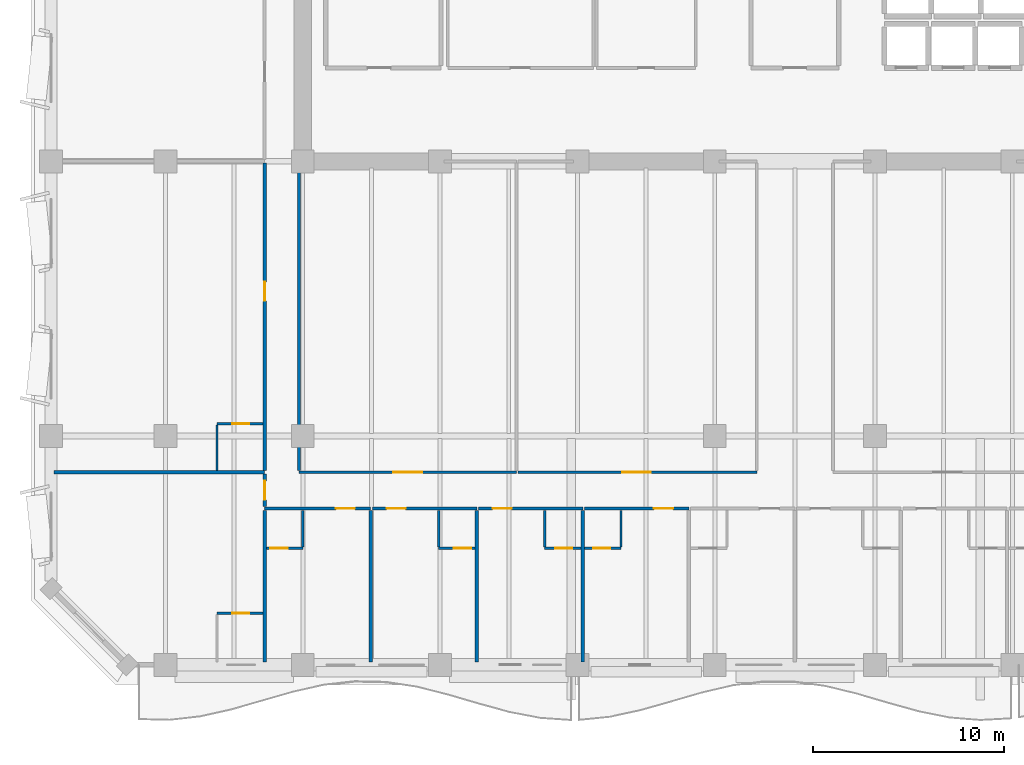
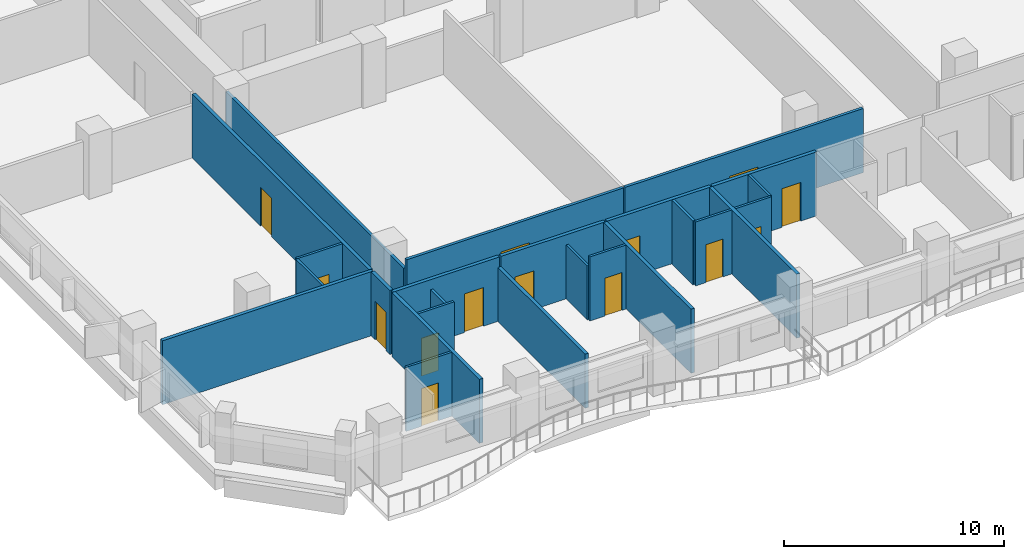
# One storey, part 4 of 15: 25 walls, 14 doors, 14 openings.
"""IFC4 building model written with IfcOpenShell, lengths in metres."""

from ifc_helpers import new_model, si_unit, direction, frame, frame_2d, origin, place, context, subcontext, project, spatial, rectangle, extrude, material, layer, layer_set, type_object, element, fill, save


model = new_model("IFC4")

# Units and contexts
model_context = context("Model", 3, precision=1e-05, world=origin(), true_north=direction((0.0, 1.0)))
body_context = subcontext(model_context, "Body", "Model", "MODEL_VIEW")
ifc_project = project(units=[si_unit("LENGTHUNIT", "METRE"), si_unit("AREAUNIT", "SQUARE_METRE"), si_unit("VOLUMEUNIT", "CUBIC_METRE"), si_unit("PLANEANGLEUNIT", "RADIAN"), si_unit("MASSUNIT", "GRAM", prefix="KILO")], contexts=[model_context])

# Site, building, storey
site_placement = place(None, origin())
site = spatial("IfcSite", under=ifc_project, at=site_placement, CompositionType="ELEMENT")
building_placement = place(site_placement, origin())
building = spatial("IfcBuilding", under=site, at=building_placement, Name="Kaelvorn Grand Hotel", CompositionType="ELEMENT")
storey_placement = place(building_placement, frame((0.0, 0.0, 139.14990234375)))
storey = spatial("IfcBuildingStorey", under=building, at=storey_placement, Name="L33", CompositionType="ELEMENT", Elevation=139.14990234375)

# Wall, opening, door
ifc_material_1 = material(Name="Moisture-Resistant Tile & Stud Board")
ifc_layer_1 = layer(ifc_material_1, 0.125)
ifc_layer_set_1 = layer_set([ifc_layer_1], Name="Moisture-Resistant Tile & Stud Board")
wall_type_1 = type_object("IfcWallType", Name="WL-PART-125-WET", PredefinedType="PARTITIONING", material=ifc_layer_set_1)
wall_1_placement = place(storey_placement, frame((14.294921875, 9.110107421875, 0.0), z_axis=(0.0, 0.0, 1.0), x_axis=(1.0, 0.0, 0.0)))
wall_1 = element("IfcWall", 1, at=wall_1_placement, inside=storey, type_object=wall_type_1, Name="L33 En-suite Bathroom L33-01 S Partition", PredefinedType="PARTITIONING", context=body_context, shape_type="SweptSolid", body=[
    extrude(rectangle(XDim=1.905029296875, YDim=0.125, at=frame_2d((0.95263671875, 0.0))), origin(), (0.0, 0.0, 1.0), 3.56005859375),
])
opening_1_placement = place(wall_1_placement, frame((0.205078125, 0.0, 0.0)))
opening_1 = element("IfcOpeningElement", 2, at=opening_1_placement, cuts=wall_1, Name="Opening DI4", PredefinedType="OPENING", context=body_context, shape_type="SweptSolid", body=[
    extrude(rectangle(XDim=0.89990234375, YDim=2.10009765625, at=frame_2d((0.449951171875, 1.050048828125))), frame((0.0, 0.072509765625, 0.0), z_axis=(0.0, -1.0, 0.0), x_axis=(1.0, 0.0, 0.0)), (0.0, 0.0, 1.0), 0.14501953125),
])
ifc_material_2 = material(Name="Timber Veneer Leaf", Category="wood")
door_type_1 = type_object("IfcDoorType", Name="DR-INT-BATH-900x2100", OperationType="NOTDEFINED", PredefinedType="DOOR", material=ifc_material_2)
door_1_placement = place(opening_1_placement, origin())
door_1 = element("IfcDoor", 3, at=door_1_placement, inside=storey, type_object=door_type_1, Name="L33 En-suite Bathroom L33-01 Door", OperationType="SINGLE_SWING_RIGHT", OverallHeight=2.10009765625, OverallWidth=0.89990234375, PredefinedType="DOOR", context=body_context, shape_type="SweptSolid", body=[
    extrude(rectangle(XDim=0.89990234375, YDim=2.10009765625, at=frame_2d((0.449951171875, 1.050048828125))), frame((0.0, 0.02490234375, 0.0), z_axis=(0.0, -1.0, 0.0), x_axis=(1.0, 0.0, 0.0)), (0.0, 0.0, 1.0), 0.050048828125),
])
fill(opening_1, door_1)

# Wall
wall_2_placement = place(storey_placement, frame((16.199951171875, 9.177490234375, 0.0), z_axis=(0.0, 0.0, 1.0), x_axis=(0.0, 1.0, 0.0)))
element("IfcWall", 4, at=wall_2_placement, inside=storey, type_object=wall_type_1, Name="L33 En-suite Bathroom L33-01 E Partition", PredefinedType="PARTITIONING", context=body_context, shape_type="SweptSolid", body=[
    extrude(rectangle(XDim=1.927490234375, YDim=0.125, at=frame_2d((0.9638671875, 0.0))), origin(), (0.0, 0.0, 1.0), 3.010009765625),
])

# Wall, opening, door
wall_3_placement = place(storey_placement, frame((23.320068359375, 9.110107421875, 0.0), z_axis=(0.0, 0.0, 1.0), x_axis=(1.0, 0.0, 0.0)))
wall_3 = element("IfcWall", 5, at=wall_3_placement, inside=storey, type_object=wall_type_1, Name="L33 En-suite Bathroom L33-02 S Partition", PredefinedType="PARTITIONING", context=body_context, shape_type="SweptSolid", body=[
    extrude(rectangle(XDim=1.905029296875, YDim=0.125, at=frame_2d((0.95263671875, 0.0))), origin(), (0.0, 0.0, 1.0), 3.56005859375),
])
opening_2_placement = place(wall_3_placement, frame((0.800048828125, 0.0, 0.0)))
opening_2 = element("IfcOpeningElement", 6, at=opening_2_placement, cuts=wall_3, Name="Opening DI4", PredefinedType="OPENING", context=body_context, shape_type="SweptSolid", body=[
    extrude(rectangle(XDim=0.89990234375, YDim=2.10009765625, at=frame_2d((0.449951171875, 1.050048828125))), frame((0.0, 0.072509765625, 0.0), z_axis=(0.0, -1.0, 0.0), x_axis=(1.0, 0.0, 0.0)), (0.0, 0.0, 1.0), 0.14501953125),
])
door_2_placement = place(opening_2_placement, origin())
door_2 = element("IfcDoor", 7, at=door_2_placement, inside=storey, type_object=door_type_1, Name="L33 En-suite Bathroom L33-02 Door", OperationType="SINGLE_SWING_RIGHT", OverallHeight=2.10009765625, OverallWidth=0.89990234375, PredefinedType="DOOR", context=body_context, shape_type="SweptSolid", body=[
    extrude(rectangle(XDim=0.89990234375, YDim=2.10009765625, at=frame_2d((0.449951171875, 1.050048828125))), frame((0.0, 0.02490234375, 0.0), z_axis=(0.0, -1.0, 0.0), x_axis=(1.0, 0.0, 0.0)), (0.0, 0.0, 1.0), 0.050048828125),
])
fill(opening_2, door_2)

# Wall
wall_4_placement = place(storey_placement, frame((23.320068359375, 9.177490234375, 0.0), z_axis=(0.0, 0.0, 1.0), x_axis=(0.0, 1.0, 0.0)))
element("IfcWall", 8, at=wall_4_placement, inside=storey, type_object=wall_type_1, Name="L33 En-suite Bathroom L33-02 W Partition", PredefinedType="PARTITIONING", context=body_context, shape_type="SweptSolid", body=[
    extrude(rectangle(XDim=1.927490234375, YDim=0.125, at=frame_2d((0.9638671875, 0.0))), origin(), (0.0, 0.0, 1.0), 3.010009765625),
])

# Wall, opening, door
wall_5_placement = place(storey_placement, frame((28.8798828125, 9.110107421875, 0.0), z_axis=(0.0, 0.0, 1.0), x_axis=(1.0, 0.0, 0.0)))
wall_5 = element("IfcWall", 9, at=wall_5_placement, inside=storey, type_object=wall_type_1, Name="L33 En-suite Bathroom L33-03 S Partition", PredefinedType="PARTITIONING", context=body_context, shape_type="SweptSolid", body=[
    extrude(rectangle(XDim=1.905029296875, YDim=0.125, at=frame_2d((0.95263671875, 0.0))), origin(), (0.0, 0.0, 1.0), 3.56005859375),
])
opening_3_placement = place(wall_5_placement, frame((0.550048828125, 0.0, 0.0)))
opening_3 = element("IfcOpeningElement", 10, at=opening_3_placement, cuts=wall_5, Name="Opening DI4", PredefinedType="OPENING", context=body_context, shape_type="SweptSolid", body=[
    extrude(rectangle(XDim=0.89990234375, YDim=2.10009765625, at=frame_2d((0.449951171875, 1.050048828125))), frame((0.0, 0.072509765625, 0.0), z_axis=(0.0, -1.0, 0.0), x_axis=(1.0, 0.0, 0.0)), (0.0, 0.0, 1.0), 0.14501953125),
])
door_3_placement = place(opening_3_placement, origin())
door_3 = element("IfcDoor", 11, at=door_3_placement, inside=storey, type_object=door_type_1, Name="L33 En-suite Bathroom L33-03 Door", OperationType="SINGLE_SWING_RIGHT", OverallHeight=2.10009765625, OverallWidth=0.89990234375, PredefinedType="DOOR", context=body_context, shape_type="SweptSolid", body=[
    extrude(rectangle(XDim=0.89990234375, YDim=2.10009765625, at=frame_2d((0.449951171875, 1.050048828125))), frame((0.0, 0.02490234375, 0.0), z_axis=(0.0, -1.0, 0.0), x_axis=(1.0, 0.0, 0.0)), (0.0, 0.0, 1.0), 0.050048828125),
])
fill(opening_3, door_3)

# Wall
wall_6_placement = place(storey_placement, frame((28.8798828125, 9.177490234375, 0.0), z_axis=(0.0, 0.0, 1.0), x_axis=(0.0, 1.0, 0.0)))
element("IfcWall", 12, at=wall_6_placement, inside=storey, type_object=wall_type_1, Name="L33 En-suite Bathroom L33-03 W Partition", PredefinedType="PARTITIONING", context=body_context, shape_type="SweptSolid", body=[
    extrude(rectangle(XDim=1.927490234375, YDim=0.125, at=frame_2d((0.9638671875, 0.0))), origin(), (0.0, 0.0, 1.0), 3.56005859375),
])

# Wall, opening, door
wall_7_placement = place(storey_placement, frame((30.97509765625, 9.110107421875, 0.0), z_axis=(0.0, 0.0, 1.0), x_axis=(1.0, 0.0, 0.0)))
wall_7 = element("IfcWall", 13, at=wall_7_placement, inside=storey, type_object=wall_type_1, Name="L33 En-suite Bathroom L33-04 S Partition", PredefinedType="PARTITIONING", context=body_context, shape_type="SweptSolid", body=[
    extrude(rectangle(XDim=1.90478515625, YDim=0.125, at=frame_2d((0.952392578125, 0.0))), origin(), (0.0, 0.0, 1.0), 3.56005859375),
])
opening_4_placement = place(wall_7_placement, frame((0.455078125, 0.0, 0.0)))
opening_4 = element("IfcOpeningElement", 14, at=opening_4_placement, cuts=wall_7, Name="Opening DI4", PredefinedType="OPENING", context=body_context, shape_type="SweptSolid", body=[
    extrude(rectangle(XDim=0.89990234375, YDim=2.10009765625, at=frame_2d((0.449951171875, 1.050048828125))), frame((0.0, 0.072509765625, 0.0), z_axis=(0.0, -1.0, 0.0), x_axis=(1.0, 0.0, 0.0)), (0.0, 0.0, 1.0), 0.14501953125),
])
door_4_placement = place(opening_4_placement, origin())
door_4 = element("IfcDoor", 15, at=door_4_placement, inside=storey, type_object=door_type_1, Name="L33 En-suite Bathroom L33-04 Door", OperationType="SINGLE_SWING_RIGHT", OverallHeight=2.10009765625, OverallWidth=0.89990234375, PredefinedType="DOOR", context=body_context, shape_type="SweptSolid", body=[
    extrude(rectangle(XDim=0.89990234375, YDim=2.10009765625, at=frame_2d((0.449951171875, 1.050048828125))), frame((0.0, 0.02490234375, 0.0), z_axis=(0.0, -1.0, 0.0), x_axis=(1.0, 0.0, 0.0)), (0.0, 0.0, 1.0), 0.050048828125),
])
fill(opening_4, door_4)

# Wall
wall_8_placement = place(storey_placement, frame((32.8798828125, 9.177490234375, 0.0), z_axis=(0.0, 0.0, 1.0), x_axis=(0.0, 1.0, 0.0)))
element("IfcWall", 16, at=wall_8_placement, inside=storey, type_object=wall_type_1, Name="L33 En-suite Bathroom L33-04 E Partition", PredefinedType="PARTITIONING", context=body_context, shape_type="SweptSolid", body=[
    extrude(rectangle(XDim=1.927490234375, YDim=0.125, at=frame_2d((0.9638671875, 0.0))), origin(), (0.0, 0.0, 1.0), 3.56005859375),
])

# Wall, opening, door
wall_9_placement = place(storey_placement, frame((11.699951171875, 5.699951171875, 0.0), z_axis=(0.0, 0.0, 1.0), x_axis=(1.0, 0.0, 0.0)))
wall_9 = element("IfcWall", 17, at=wall_9_placement, inside=storey, type_object=wall_type_1, Name="L33 En-suite Bathroom L33-11 N Partition", PredefinedType="PARTITIONING", context=body_context, shape_type="SweptSolid", body=[
    extrude(rectangle(XDim=2.405029296875, YDim=0.125, at=frame_2d((1.20263671875, 0.0))), origin(), (0.0, 0.0, 1.0), 3.56005859375),
])
opening_5_placement = place(wall_9_placement, frame((0.800048828125, 0.0, 0.0)))
opening_5 = element("IfcOpeningElement", 18, at=opening_5_placement, cuts=wall_9, Name="Opening DI4", PredefinedType="OPENING", context=body_context, shape_type="SweptSolid", body=[
    extrude(rectangle(XDim=0.89990234375, YDim=2.10009765625, at=frame_2d((0.449951171875, 1.050048828125))), frame((0.0, 0.072509765625, 0.0), z_axis=(0.0, -1.0, 0.0), x_axis=(1.0, 0.0, 0.0)), (0.0, 0.0, 1.0), 0.14501953125),
])
door_5_placement = place(opening_5_placement, origin())
door_5 = element("IfcDoor", 19, at=door_5_placement, inside=storey, type_object=door_type_1, Name="L33 En-suite Bathroom L33-11 Door", OperationType="SINGLE_SWING_RIGHT", OverallHeight=2.10009765625, OverallWidth=0.89990234375, PredefinedType="DOOR", context=body_context, shape_type="SweptSolid", body=[
    extrude(rectangle(XDim=0.89990234375, YDim=2.10009765625, at=frame_2d((0.449951171875, 1.050048828125))), frame((0.0, 0.02490234375, 0.0), z_axis=(0.0, -1.0, 0.0), x_axis=(1.0, 0.0, 0.0)), (0.0, 0.0, 1.0), 0.050048828125),
])
fill(opening_5, door_5)

wall_10_placement = place(storey_placement, frame((11.699951171875, 15.64990234375, 0.0), z_axis=(0.0, 0.0, 1.0), x_axis=(1.0, 0.0, 0.0)))
wall_10 = element("IfcWall", 20, at=wall_10_placement, inside=storey, type_object=wall_type_1, Name="L33 En-suite Bathroom L33-12 N Partition", PredefinedType="PARTITIONING", context=body_context, shape_type="SweptSolid", body=[
    extrude(rectangle(XDim=2.405029296875, YDim=0.125, at=frame_2d((1.20263671875, 0.0))), origin(), (0.0, 0.0, 1.0), 3.56005859375),
])
opening_6_placement = place(wall_10_placement, frame((0.800048828125, 0.0, 0.0)))
opening_6 = element("IfcOpeningElement", 21, at=opening_6_placement, cuts=wall_10, Name="Opening DI4", PredefinedType="OPENING", context=body_context, shape_type="SweptSolid", body=[
    extrude(rectangle(XDim=0.89990234375, YDim=2.10009765625, at=frame_2d((0.449951171875, 1.050048828125))), frame((0.0, 0.072509765625, 0.0), z_axis=(0.0, -1.0, 0.0), x_axis=(1.0, 0.0, 0.0)), (0.0, 0.0, 1.0), 0.14501953125),
])
door_6_placement = place(opening_6_placement, origin())
door_6 = element("IfcDoor", 22, at=door_6_placement, inside=storey, type_object=door_type_1, Name="L33 En-suite Bathroom L33-12 Door", OperationType="SINGLE_SWING_RIGHT", OverallHeight=2.10009765625, OverallWidth=0.89990234375, PredefinedType="DOOR", context=body_context, shape_type="SweptSolid", body=[
    extrude(rectangle(XDim=0.89990234375, YDim=2.10009765625, at=frame_2d((0.449951171875, 1.050048828125))), frame((0.0, 0.02490234375, 0.0), z_axis=(0.0, -1.0, 0.0), x_axis=(1.0, 0.0, 0.0)), (0.0, 0.0, 1.0), 0.050048828125),
])
fill(opening_6, door_6)

# Wall
wall_11_placement = place(storey_placement, frame((11.699951171875, 13.195068359375, 0.0), z_axis=(0.0, 0.0, 1.0), x_axis=(0.0, 1.0, 0.0)))
element("IfcWall", 23, at=wall_11_placement, inside=storey, type_object=wall_type_1, Name="L33 En-suite Bathroom L33-12 W Partition", PredefinedType="PARTITIONING", context=body_context, shape_type="SweptSolid", body=[
    extrude(rectangle(XDim=2.387451171875, YDim=0.125, at=frame_2d((1.19384765625, 0.0))), origin(), (0.0, 0.0, 1.0), 3.56005859375),
])

# Wall, opening, door
ifc_material_3 = material(Name="Acoustic Gypsum & Stud Partition")
ifc_layer_2 = layer(ifc_material_3, 0.14990234375)
ifc_layer_set_2 = layer_set([ifc_layer_2], Name="Acoustic Gypsum & Stud Partition")
wall_type_2 = type_object("IfcWallType", Name="WL-PART-150-EI60", PredefinedType="PARTITIONING", material=ifc_layer_set_2)
wall_12_placement = place(storey_placement, frame((16.0, 13.10009765625, 0.0), z_axis=(0.0, 0.0, 1.0), x_axis=(1.0, 0.0, 0.0)))
wall_12 = element("IfcWall", 24, at=wall_12_placement, inside=storey, type_object=wall_type_2, Name="L33 Private Dining Restaurant S Partition", PredefinedType="PARTITIONING", context=body_context, shape_type="SweptSolid", body=[
    extrude(rectangle(XDim=11.39990234375, YDim=0.14990234375, at=frame_2d((5.699951171875, 0.0))), origin(), (0.0, 0.0, 1.0), 3.56005859375),
])
opening_7_placement = place(wall_12_placement, frame((4.949951171875, 0.0, 0.0)))
opening_7 = element("IfcOpeningElement", 25, at=opening_7_placement, cuts=wall_12, Name="Opening DI5", PredefinedType="OPENING", context=body_context, shape_type="SweptSolid", body=[
    extrude(rectangle(XDim=1.5, YDim=2.25, at=frame_2d((0.75, 1.125))), frame((0.0, 0.0849609375, 0.0), z_axis=(0.0, -1.0, 0.0), x_axis=(1.0, 0.0, 0.0)), (0.0, 0.0, 1.0), 0.169921875),
])
ifc_material_4 = material(Name="Timber Veneer Fire Leaf", Category="wood")
door_type_2 = type_object("IfcDoorType", Name="DR-INT-SALON-1500x2250", OperationType="DOUBLE_DOOR_SINGLE_SWING", PredefinedType="DOOR", material=ifc_material_4)
door_7_placement = place(opening_7_placement, origin())
door_7 = element("IfcDoor", 26, at=door_7_placement, inside=storey, type_object=door_type_2, Name="L33 Private Dining Restaurant Door", OperationType="DOUBLE_DOOR_SINGLE_SWING", OverallHeight=2.25, OverallWidth=1.5, PredefinedType="DOOR", context=body_context, shape_type="SweptSolid", body=[
    extrude(rectangle(XDim=1.5, YDim=2.25, at=frame_2d((0.75, 1.125))), frame((0.0, 0.02490234375, 0.0), z_axis=(0.0, -1.0, 0.0), x_axis=(1.0, 0.0, 0.0)), (0.0, 0.0, 1.0), 0.050048828125),
])
fill(opening_7, door_7)

# Wall
wall_13_placement = place(storey_placement, frame((16.0, 13.179931640625, 0.0), z_axis=(0.0, 0.0, 1.0), x_axis=(0.0, 1.0, 0.0)))
element("IfcWall", 27, at=wall_13_placement, inside=storey, type_object=wall_type_2, Name="L33 Private Dining Restaurant W Partition", PredefinedType="PARTITIONING", context=body_context, shape_type="SweptSolid", body=[
    extrude(rectangle(XDim=16.2099609375, YDim=0.14990234375, at=frame_2d((8.10498046875, 0.0))), origin(), (0.0, 0.0, 1.0), 3.010009765625),
])

# Wall, opening, door
wall_14_placement = place(storey_placement, frame((27.47998046875, 13.10009765625, 0.0), z_axis=(0.0, 0.0, 1.0), x_axis=(1.0, 0.0, 0.0)))
wall_14 = element("IfcWall", 28, at=wall_14_placement, inside=storey, type_object=wall_type_2, Name="L33 Hospitality Tea Kitchen S Partition", PredefinedType="PARTITIONING", context=body_context, shape_type="SweptSolid", body=[
    extrude(rectangle(XDim=12.52001953125, YDim=0.14990234375, at=frame_2d((6.260009765625, 0.0))), origin(), (0.0, 0.0, 1.0), 3.56005859375),
])
opening_8_placement = place(wall_14_placement, frame((5.469970703125, 0.0, 0.0)))
opening_8 = element("IfcOpeningElement", 29, at=opening_8_placement, cuts=wall_14, Name="Opening DI5", PredefinedType="OPENING", context=body_context, shape_type="SweptSolid", body=[
    extrude(rectangle(XDim=1.5, YDim=2.25, at=frame_2d((0.75, 1.125))), frame((0.0, 0.0849609375, 0.0), z_axis=(0.0, -1.0, 0.0), x_axis=(1.0, 0.0, 0.0)), (0.0, 0.0, 1.0), 0.169921875),
])
door_8_placement = place(opening_8_placement, origin())
door_8 = element("IfcDoor", 30, at=door_8_placement, inside=storey, type_object=door_type_2, Name="L33 Hospitality Tea Kitchen Door", OperationType="DOUBLE_DOOR_SINGLE_SWING", OverallHeight=2.25, OverallWidth=1.5, PredefinedType="DOOR", context=body_context, shape_type="SweptSolid", body=[
    extrude(rectangle(XDim=1.5, YDim=2.25, at=frame_2d((0.75, 1.125))), frame((0.0, 0.02490234375, 0.0), z_axis=(0.0, -1.0, 0.0), x_axis=(1.0, 0.0, 0.0)), (0.0, 0.0, 1.0), 0.050048828125),
])
fill(opening_8, door_8)

ifc_layer_3 = layer(ifc_material_3, 0.179931640625)
ifc_layer_set_3 = layer_set([ifc_layer_3], Name="Acoustic Gypsum & Stud Partition")
wall_type_3 = type_object("IfcWallType", Name="WL-PART-180-EI60", PredefinedType="PARTITIONING", material=ifc_layer_set_3)
wall_15_placement = place(storey_placement, frame((14.199951171875, 11.199951171875, 0.0), z_axis=(0.0, 0.0, 1.0), x_axis=(1.0, 0.0, 0.0)))
wall_15 = element("IfcWall", 31, at=wall_15_placement, inside=storey, type_object=wall_type_3, Name="L33 Mid-Rise Signature Suite L33-01 N Partition", PredefinedType="PARTITIONING", context=body_context, shape_type="SweptSolid", body=[
    extrude(rectangle(XDim=5.56005859375, YDim=0.179931640625, at=frame_2d((2.780029296875, 0.0))), origin(), (0.0, 0.0, 1.0), 3.56005859375),
])
opening_9_placement = place(wall_15_placement, frame((3.72998046875, 0.0, 0.0)))
opening_9 = element("IfcOpeningElement", 32, at=opening_9_placement, cuts=wall_15, Name="Opening DI3", PredefinedType="OPENING", context=body_context, shape_type="SweptSolid", body=[
    extrude(rectangle(XDim=1.0, YDim=2.14990234375, at=frame_2d((0.5, 1.074951171875))), frame((0.0, 0.10009765625, 0.0), z_axis=(0.0, -1.0, 0.0), x_axis=(1.0, 0.0, 0.0)), (0.0, 0.0, 1.0), 0.199951171875),
])
door_type_3 = type_object("IfcDoorType", Name="DR-INT-GUEST-1000x2150", OperationType="NOTDEFINED", PredefinedType="DOOR", material=ifc_material_4)
door_9_placement = place(opening_9_placement, origin())
door_9 = element("IfcDoor", 33, at=door_9_placement, inside=storey, type_object=door_type_3, Name="L33 Mid-Rise Signature Suite L33-01 Door", OperationType="SINGLE_SWING_LEFT", OverallHeight=2.14990234375, OverallWidth=1.0, PredefinedType="DOOR", context=body_context, shape_type="SweptSolid", body=[
    extrude(rectangle(XDim=1.0, YDim=2.14990234375, at=frame_2d((0.5, 1.074951171875))), frame((0.0, 0.02490234375, 0.0), z_axis=(0.0, -1.0, 0.0), x_axis=(1.0, 0.0, 0.0)), (0.0, 0.0, 1.0), 0.050048828125),
])
fill(opening_9, door_9)

# Walls
wall_16_placement = place(storey_placement, frame((14.199951171875, 3.14990234375, 0.0), z_axis=(0.0, 0.0, 1.0), x_axis=(0.0, 1.0, 0.0)))
element("IfcWall", 34, at=wall_16_placement, inside=storey, type_object=wall_type_3, Name="L33 Mid-Rise Signature Suite L33-01 W Partition", PredefinedType="PARTITIONING", context=body_context, shape_type="SweptSolid", body=[
    extrude(rectangle(XDim=7.955078125, YDim=0.179931640625, at=frame_2d((3.9775390625, 0.0))), origin(), (0.0, 0.0, 1.0), 3.56005859375),
])
wall_17_placement = place(storey_placement, frame((19.760009765625, 3.14990234375, 0.0), z_axis=(0.0, 0.0, 1.0), x_axis=(0.0, 1.0, 0.0)))
element("IfcWall", 35, at=wall_17_placement, inside=storey, type_object=wall_type_3, Name="L33 Mid-Rise Signature Suite L33-01 E Partition", PredefinedType="PARTITIONING", context=body_context, shape_type="SweptSolid", body=[
    extrude(rectangle(XDim=7.955078125, YDim=0.179931640625, at=frame_2d((3.9775390625, 0.0))), origin(), (0.0, 0.0, 1.0), 3.010009765625),
])

# Wall, opening, door
wall_18_placement = place(storey_placement, frame((19.85498046875, 11.199951171875, 0.0), z_axis=(0.0, 0.0, 1.0), x_axis=(1.0, 0.0, 0.0)))
wall_18 = element("IfcWall", 36, at=wall_18_placement, inside=storey, type_object=wall_type_3, Name="L33 Superior King Guest Room L33-02 N Partition", PredefinedType="PARTITIONING", context=body_context, shape_type="SweptSolid", body=[
    extrude(rectangle(XDim=5.465087890625, YDim=0.179931640625, at=frame_2d((2.732421875, 0.0))), origin(), (0.0, 0.0, 1.0), 3.56005859375),
])
opening_10_placement = place(wall_18_placement, frame((0.735107421875, 0.0, 0.0)))
opening_10 = element("IfcOpeningElement", 37, at=opening_10_placement, cuts=wall_18, Name="Opening DI3", PredefinedType="OPENING", context=body_context, shape_type="SweptSolid", body=[
    extrude(rectangle(XDim=1.0, YDim=2.14990234375, at=frame_2d((0.5, 1.074951171875))), frame((0.0, 0.10009765625, 0.0), z_axis=(0.0, -1.0, 0.0), x_axis=(1.0, 0.0, 0.0)), (0.0, 0.0, 1.0), 0.199951171875),
])
door_10_placement = place(opening_10_placement, origin())
door_10 = element("IfcDoor", 38, at=door_10_placement, inside=storey, type_object=door_type_3, Name="L33 Superior King Guest Room L33-02 Door", OperationType="SINGLE_SWING_LEFT", OverallHeight=2.14990234375, OverallWidth=1.0, PredefinedType="DOOR", context=body_context, shape_type="SweptSolid", body=[
    extrude(rectangle(XDim=1.0, YDim=2.14990234375, at=frame_2d((0.5, 1.074951171875))), frame((0.0, 0.02490234375, 0.0), z_axis=(0.0, -1.0, 0.0), x_axis=(1.0, 0.0, 0.0)), (0.0, 0.0, 1.0), 0.050048828125),
])
fill(opening_10, door_10)

# Wall
wall_19_placement = place(storey_placement, frame((25.320068359375, 3.14990234375, 0.0), z_axis=(0.0, 0.0, 1.0), x_axis=(0.0, 1.0, 0.0)))
element("IfcWall", 39, at=wall_19_placement, inside=storey, type_object=wall_type_3, Name="L33 Superior King Guest Room L33-02 E Partition", PredefinedType="PARTITIONING", context=body_context, shape_type="SweptSolid", body=[
    extrude(rectangle(XDim=7.955078125, YDim=0.179931640625, at=frame_2d((3.9775390625, 0.0))), origin(), (0.0, 0.0, 1.0), 3.56005859375),
])

# Wall, opening, door
wall_20_placement = place(storey_placement, frame((25.4150390625, 11.199951171875, 0.0), z_axis=(0.0, 0.0, 1.0), x_axis=(1.0, 0.0, 0.0)))
wall_20 = element("IfcWall", 40, at=wall_20_placement, inside=storey, type_object=wall_type_3, Name="L33 Mid-Rise Signature Suite L33-03 N Partition", PredefinedType="PARTITIONING", context=body_context, shape_type="SweptSolid", body=[
    extrude(rectangle(XDim=5.46484375, YDim=0.179931640625, at=frame_2d((2.732421875, 0.0))), origin(), (0.0, 0.0, 1.0), 3.56005859375),
])
opening_11_placement = place(wall_20_placement, frame((0.735107421875, 0.0, 0.0)))
opening_11 = element("IfcOpeningElement", 41, at=opening_11_placement, cuts=wall_20, Name="Opening DI3", PredefinedType="OPENING", context=body_context, shape_type="SweptSolid", body=[
    extrude(rectangle(XDim=1.0, YDim=2.14990234375, at=frame_2d((0.5, 1.074951171875))), frame((0.0, 0.10009765625, 0.0), z_axis=(0.0, -1.0, 0.0), x_axis=(1.0, 0.0, 0.0)), (0.0, 0.0, 1.0), 0.199951171875),
])
door_11_placement = place(opening_11_placement, origin())
door_11 = element("IfcDoor", 42, at=door_11_placement, inside=storey, type_object=door_type_3, Name="L33 Mid-Rise Signature Suite L33-03 Door", OperationType="SINGLE_SWING_LEFT", OverallHeight=2.14990234375, OverallWidth=1.0, PredefinedType="DOOR", context=body_context, shape_type="SweptSolid", body=[
    extrude(rectangle(XDim=1.0, YDim=2.14990234375, at=frame_2d((0.5, 1.074951171875))), frame((0.0, 0.02490234375, 0.0), z_axis=(0.0, -1.0, 0.0), x_axis=(1.0, 0.0, 0.0)), (0.0, 0.0, 1.0), 0.050048828125),
])
fill(opening_11, door_11)

# Wall
wall_21_placement = place(storey_placement, frame((30.8798828125, 3.14990234375, 0.0), z_axis=(0.0, 0.0, 1.0), x_axis=(0.0, 1.0, 0.0)))
element("IfcWall", 43, at=wall_21_placement, inside=storey, type_object=wall_type_3, Name="L33 Mid-Rise Signature Suite L33-03 E Partition", PredefinedType="PARTITIONING", context=body_context, shape_type="SweptSolid", body=[
    extrude(rectangle(XDim=7.955078125, YDim=0.179931640625, at=frame_2d((3.9775390625, 0.0))), origin(), (0.0, 0.0, 1.0), 3.56005859375),
])

# Wall, opening, door
wall_22_placement = place(storey_placement, frame((30.97509765625, 11.199951171875, 0.0), z_axis=(0.0, 0.0, 1.0), x_axis=(1.0, 0.0, 0.0)))
wall_22 = element("IfcWall", 44, at=wall_22_placement, inside=storey, type_object=wall_type_3, Name="L33 Superior King Guest Room L33-04 N Partition", PredefinedType="PARTITIONING", context=body_context, shape_type="SweptSolid", body=[
    extrude(rectangle(XDim=5.46484375, YDim=0.179931640625, at=frame_2d((2.732421875, 0.0))), origin(), (0.0, 0.0, 1.0), 3.56005859375),
])
opening_12_placement = place(wall_22_placement, frame((3.635009765625, 0.0, 0.0)))
opening_12 = element("IfcOpeningElement", 45, at=opening_12_placement, cuts=wall_22, Name="Opening DI3", PredefinedType="OPENING", context=body_context, shape_type="SweptSolid", body=[
    extrude(rectangle(XDim=1.0, YDim=2.14990234375, at=frame_2d((0.5, 1.074951171875))), frame((0.0, 0.10009765625, 0.0), z_axis=(0.0, -1.0, 0.0), x_axis=(1.0, 0.0, 0.0)), (0.0, 0.0, 1.0), 0.199951171875),
])
door_12_placement = place(opening_12_placement, origin())
door_12 = element("IfcDoor", 46, at=door_12_placement, inside=storey, type_object=door_type_3, Name="L33 Superior King Guest Room L33-04 Door", OperationType="SINGLE_SWING_LEFT", OverallHeight=2.14990234375, OverallWidth=1.0, PredefinedType="DOOR", context=body_context, shape_type="SweptSolid", body=[
    extrude(rectangle(XDim=1.0, YDim=2.14990234375, at=frame_2d((0.5, 1.074951171875))), frame((0.0, 0.02490234375, 0.0), z_axis=(0.0, -1.0, 0.0), x_axis=(1.0, 0.0, 0.0)), (0.0, 0.0, 1.0), 0.050048828125),
])
fill(opening_12, door_12)

# Wall
wall_23_placement = place(storey_placement, frame((3.14990234375, 13.10009765625, 0.0), z_axis=(0.0, 0.0, 1.0), x_axis=(1.0, 0.0, 0.0)))
element("IfcWall", 47, at=wall_23_placement, inside=storey, type_object=wall_type_3, Name="L33 South-West Chamfer Suite L33-11 N Partition", PredefinedType="PARTITIONING", context=body_context, shape_type="SweptSolid", body=[
    extrude(rectangle(XDim=11.050048828125, YDim=0.179931640625, at=frame_2d((5.52490234375, 0.0))), origin(), (0.0, 0.0, 1.0), 3.56005859375),
])

# Wall, opening, door
wall_24_placement = place(storey_placement, frame((14.199951171875, 11.294921875, 0.0), z_axis=(0.0, 0.0, 1.0), x_axis=(0.0, 1.0, 0.0)))
wall_24 = element("IfcWall", 48, at=wall_24_placement, inside=storey, type_object=wall_type_3, Name="L33 South-West Chamfer Suite L33-11 E Partition", PredefinedType="PARTITIONING", context=body_context, shape_type="SweptSolid", body=[
    extrude(rectangle(XDim=1.7099609375, YDim=0.179931640625, at=frame_2d((0.85498046875, 0.0))), origin(), (0.0, 0.0, 1.0), 3.56005859375),
])
opening_13_placement = place(wall_24_placement, frame((0.35498046875, 0.0, 0.0)))
opening_13 = element("IfcOpeningElement", 49, at=opening_13_placement, cuts=wall_24, Name="Opening DI3", PredefinedType="OPENING", context=body_context, shape_type="SweptSolid", body=[
    extrude(rectangle(XDim=1.0, YDim=2.14990234375, at=frame_2d((0.5, 1.074951171875))), frame((0.0, 0.10009765625, 0.0), z_axis=(0.0, -1.0, 0.0), x_axis=(1.0, 0.0, 0.0)), (0.0, 0.0, 1.0), 0.199951171875),
])
door_13_placement = place(opening_13_placement, origin())
door_13 = element("IfcDoor", 50, at=door_13_placement, inside=storey, type_object=door_type_3, Name="L33 South-West Chamfer Suite L33-11 Door", OperationType="SINGLE_SWING_LEFT", OverallHeight=2.14990234375, OverallWidth=1.0, PredefinedType="DOOR", context=body_context, shape_type="SweptSolid", body=[
    extrude(rectangle(XDim=1.0, YDim=2.14990234375, at=frame_2d((0.5, 1.074951171875))), frame((0.0, 0.02490234375, 0.0), z_axis=(0.0, -1.0, 0.0), x_axis=(1.0, 0.0, 0.0)), (0.0, 0.0, 1.0), 0.050048828125),
])
fill(opening_13, door_13)

wall_25_placement = place(storey_placement, frame((14.199951171875, 13.195068359375, 0.0), z_axis=(0.0, 0.0, 1.0), x_axis=(0.0, 1.0, 0.0)))
wall_25 = element("IfcWall", 51, at=wall_25_placement, inside=storey, type_object=wall_type_3, Name="L33 West End Panoramic Suite L33-12 E Partition", PredefinedType="PARTITIONING", context=body_context, shape_type="SweptSolid", body=[
    extrude(rectangle(XDim=16.10986328125, YDim=0.179931640625, at=frame_2d((8.054931640625, 0.0))), origin(), (0.0, 0.0, 1.0), 3.56005859375),
])
opening_14_placement = place(wall_25_placement, frame((8.889892578125, 0.0, 0.0)))
opening_14 = element("IfcOpeningElement", 52, at=opening_14_placement, cuts=wall_25, Name="Opening DI3", PredefinedType="OPENING", context=body_context, shape_type="SweptSolid", body=[
    extrude(rectangle(XDim=1.0, YDim=2.14990234375, at=frame_2d((0.5, 1.074951171875))), frame((0.0, 0.10009765625, 0.0), z_axis=(0.0, -1.0, 0.0), x_axis=(1.0, 0.0, 0.0)), (0.0, 0.0, 1.0), 0.199951171875),
])
door_14_placement = place(opening_14_placement, origin())
door_14 = element("IfcDoor", 53, at=door_14_placement, inside=storey, type_object=door_type_3, Name="L33 West End Panoramic Suite L33-12 Door", OperationType="SINGLE_SWING_LEFT", OverallHeight=2.14990234375, OverallWidth=1.0, PredefinedType="DOOR", context=body_context, shape_type="SweptSolid", body=[
    extrude(rectangle(XDim=1.0, YDim=2.14990234375, at=frame_2d((0.5, 1.074951171875))), frame((0.0, 0.02490234375, 0.0), z_axis=(0.0, -1.0, 0.0), x_axis=(1.0, 0.0, 0.0)), (0.0, 0.0, 1.0), 0.050048828125),
])
fill(opening_14, door_14)

save(model, "model.ifc")
